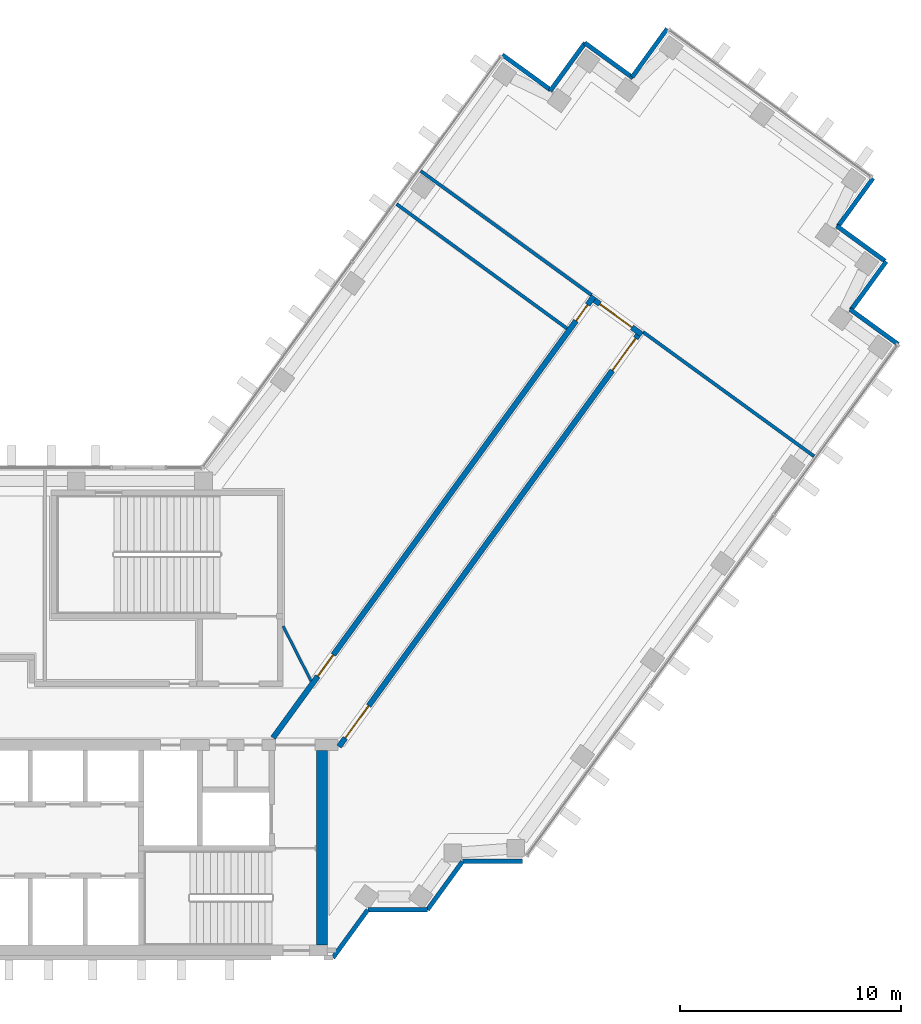
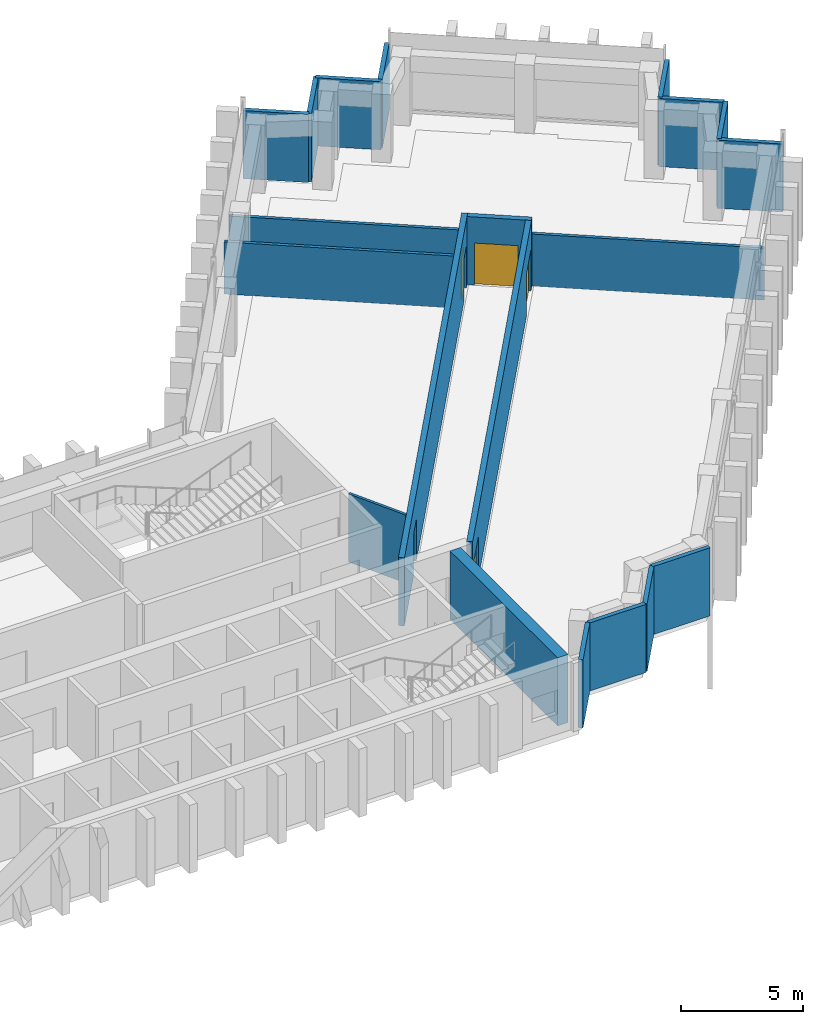
# One storey, part 10 of 13: 20 walls, 5 doors, 5 openings.
"""IFC4 building model written with IfcOpenShell, lengths in metres."""

from ifc_helpers import new_model, si_unit, direction, frame, frame_2d, origin, place, context, subcontext, project, spatial, rectangle, extrude, material, layer, layer_set, type_object, element, fill, save


model = new_model("IFC4")

# Units and contexts
model_context = context("Model", 3, precision=1e-05, world=origin(), true_north=direction((0.0, 1.0)))
body_context = subcontext(model_context, "Body", "Model", "MODEL_VIEW")
ifc_project = project(units=[si_unit("LENGTHUNIT", "METRE"), si_unit("AREAUNIT", "SQUARE_METRE"), si_unit("VOLUMEUNIT", "CUBIC_METRE"), si_unit("PLANEANGLEUNIT", "RADIAN"), si_unit("MASSUNIT", "GRAM", prefix="KILO")], contexts=[model_context])

# Site, building, storey
site_placement = place(None, origin())
site = spatial("IfcSite", under=ifc_project, at=site_placement, CompositionType="ELEMENT")
building_placement = place(site_placement, origin())
building = spatial("IfcBuilding", under=site, at=building_placement, Name="Quipu Civic Tower", CompositionType="ELEMENT")
storey_placement = place(building_placement, frame((0.0, 0.0, 184.0)))
storey = spatial("IfcBuildingStorey", under=building, at=storey_placement, Name="L43", CompositionType="ELEMENT", Elevation=184.0)

# Walls
ifc_material_1 = material(Name="Double gypsum plasterboard with mineral wool")
ifc_layer_1 = layer(ifc_material_1, 0.14990234375)
ifc_layer_set_1 = layer_set([ifc_layer_1], Name="Double gypsum plasterboard with mineral wool")
wall_type_1 = type_object("IfcWallType", Name="Acoustic partition 150 plasterboard", PredefinedType="PARTITIONING", material=ifc_layer_set_1)
for number, where, z_axis, x_axis, name in (
    (1, (31.9521484375, 18.917724609375, 0.0), (0.0, 0.0, 1.0), (-0.80898585166, 0.587828114175, 0.0), "Partition P01"),
    (2, (23.136962890625, 23.031982421875, 0.0), (0.0, 0.0, 1.0), (0.807661302092, -0.589646691759, 0.0), "Partition P02"),
):
    element("IfcWall", number, at=place(storey_placement, frame(where, z_axis=z_axis, x_axis=x_axis)), inside=storey, type_object=wall_type_1, Name=name, PredefinedType="PARTITIONING", context=body_context, shape_type="SweptSolid", body=[
        extrude(rectangle(XDim=9.550048828125, YDim=0.14990234375, at=frame_2d((4.77490234375, 0.0))), origin(), (0.0, 0.0, 1.0), 2.60009765625),
    ])
wall_1_placement = place(storey_placement, frame((34.2939453125, 17.240966796875, 0.0), z_axis=(0.0, 0.0, 1.0), x_axis=(0.808985331811, -0.587828829605, 0.0)))
element("IfcWall", 3, at=wall_1_placement, inside=storey, type_object=wall_type_1, Name="Partition P07", PredefinedType="PARTITIONING", context=body_context, shape_type="SweptSolid", body=[
    extrude(rectangle(XDim=9.56982421875, YDim=0.14990234375, at=frame_2d((4.784912109375, 0.0))), origin(), (0.0, 0.0, 1.0), 2.60009765625),
])
ifc_material_2 = material(Name="Concrete C70/85", Category="concrete")
ifc_layer_2 = layer(ifc_material_2, 0.5)
ifc_layer_set_2 = layer_set([ifc_layer_2], Name="Concrete C70/85")
wall_type_2 = type_object("IfcWallType", Name="Core wall 500", PredefinedType="SHEAR", material=ifc_layer_set_2)
wall_2_placement = place(storey_placement, frame((19.75, -10.5, 0.0), z_axis=(0.0, 0.0, 1.0), x_axis=(0.0, 1.0, 0.0)))
element("IfcWall", 4, at=wall_2_placement, inside=storey, type_object=wall_type_2, Name="Core wall", PredefinedType="SHEAR", context=body_context, shape_type="SweptSolid", body=[
    extrude(rectangle(XDim=8.800048828125, YDim=0.5, at=frame_2d((4.39990234375, 0.0))), origin(), (0.0, 0.0, 1.0), 3.39990234375),
])

# Wall, openings, doors
ifc_material_3 = material(Name="Concrete C50/60", Category="concrete")
ifc_layer_3 = layer(ifc_material_3, 0.25)
ifc_layer_set_3 = layer_set([ifc_layer_3], Name="Concrete C50/60")
wall_type_3 = type_object("IfcWallType", Name="Corridor wall 250 concrete", PredefinedType="SOLIDWALL", material=ifc_layer_set_3)
wall_3_placement = place(storey_placement, frame((17.544921875, -1.124755859375, 0.0), z_axis=(0.0, 0.0, 1.0), x_axis=(0.587791430994, 0.80901250525, 0.0)))
wall_3 = element("IfcWall", 5, at=wall_3_placement, inside=storey, type_object=wall_type_3, Name="Corridor wall C01", PredefinedType="SOLIDWALL", context=body_context, shape_type="SweptSolid", body=[
    extrude(rectangle(XDim=24.703125, YDim=0.25, at=frame_2d((12.3515625, 0.0))), origin(), (0.0, 0.0, 1.0), 3.39990234375),
])
opening_1_placement = place(wall_3_placement, frame((23.328857421875, 0.0, 0.0)))
opening_1 = element("IfcOpeningElement", 6, at=opening_1_placement, cuts=wall_3, Name="Opening D002", PredefinedType="OPENING", context=body_context, shape_type="SweptSolid", body=[
    extrude(rectangle(XDim=0.89990234375, YDim=2.10009765625, at=frame_2d((0.449951171875, 1.050048828125))), frame((0.0, 0.135009765625, 0.0), z_axis=(0.0, -1.0, 0.0), x_axis=(1.0, 0.0, 0.0)), (0.0, 0.0, 1.0), 0.27001953125),
])
opening_2_placement = place(wall_3_placement, frame((3.4423828125, 0.0, 0.0)))
opening_2 = element("IfcOpeningElement", 7, at=opening_2_placement, cuts=wall_3, Name="Opening D001", PredefinedType="OPENING", context=body_context, shape_type="SweptSolid", body=[
    extrude(rectangle(XDim=1.199951171875, YDim=2.10009765625, at=frame_2d((0.60009765625, 1.050048828125))), frame((0.0, 0.135009765625, 0.0), z_axis=(0.0, -1.0, 0.0), x_axis=(1.0, 0.0, 0.0)), (0.0, 0.0, 1.0), 0.27001953125),
])
ifc_material_4 = material(Name="Fire rated timber door set with metal frame", Category="wood")
door_type_1 = type_object("IfcDoorType", Name="Single door 1200 x 2100 FD60", OperationType="NOTDEFINED", PredefinedType="DOOR", material=ifc_material_4)
door_1_placement = place(opening_2_placement, origin())
door_1 = element("IfcDoor", 8, at=door_1_placement, inside=storey, type_object=door_type_1, Name="Door D001", OperationType="SINGLE_SWING_LEFT", OverallHeight=2.10009765625, OverallWidth=1.199951171875, PredefinedType="DOOR", context=body_context, shape_type="SweptSolid", body=[
    extrude(rectangle(XDim=1.199951171875, YDim=2.10009765625, at=frame_2d((0.60009765625, 1.050048828125))), frame((0.0, 0.02490234375, 0.0), z_axis=(0.0, -1.0, 0.0), x_axis=(1.0, 0.0, 0.0)), (0.0, 0.0, 1.0), 0.050048828125),
])
fill(opening_2, door_1)
ifc_material_5 = material(Name="Fire rated timber door set with metal frame", Category="wood")
door_type_2 = type_object("IfcDoorType", Name="Single door 900 x 2100 FD60", OperationType="NOTDEFINED", PredefinedType="DOOR", material=ifc_material_5)
door_2_placement = place(opening_1_placement, origin())
door_2 = element("IfcDoor", 9, at=door_2_placement, inside=storey, type_object=door_type_2, Name="Door D002", OperationType="SINGLE_SWING_RIGHT", OverallHeight=2.10009765625, OverallWidth=0.89990234375, PredefinedType="DOOR", context=body_context, shape_type="SweptSolid", body=[
    extrude(rectangle(XDim=0.89990234375, YDim=2.10009765625, at=frame_2d((0.449951171875, 1.050048828125))), frame((0.0, 0.02490234375, 0.0), z_axis=(0.0, -1.0, 0.0), x_axis=(1.0, 0.0, 0.0)), (0.0, 0.0, 1.0), 0.050048828125),
])
fill(opening_1, door_2)

# Wall, opening, door
wall_4_placement = place(storey_placement, frame((32.0927734375, 18.685791015625, 0.0), z_axis=(0.0, 0.0, 1.0), x_axis=(0.809006914995, -0.587799125119, 0.0)))
wall_4 = element("IfcWall", 10, at=wall_4_placement, inside=storey, type_object=wall_type_3, Name="Corridor wall C02", PredefinedType="SOLIDWALL", context=body_context, shape_type="SweptSolid", body=[
    extrude(rectangle(XDim=2.64990234375, YDim=0.25, at=frame_2d((1.324951171875, 0.0))), origin(), (0.0, 0.0, 1.0), 3.39990234375),
])
opening_3_placement = place(wall_4_placement, frame((0.2998046875, 0.0, 0.0)))
opening_3 = element("IfcOpeningElement", 11, at=opening_3_placement, cuts=wall_4, Name="Opening D005", PredefinedType="OPENING", context=body_context, shape_type="SweptSolid", body=[
    extrude(rectangle(XDim=1.800048828125, YDim=2.10009765625, at=frame_2d((0.89990234375, 1.050048828125))), frame((0.0, 0.135009765625, 0.0), z_axis=(0.0, -1.0, 0.0), x_axis=(1.0, 0.0, 0.0)), (0.0, 0.0, 1.0), 0.27001953125),
])
ifc_material_6 = material(Name="Fire rated timber door set with metal frame", Category="wood")
door_type_3 = type_object("IfcDoorType", Name="Double door 1800 x 2100 FD60", OperationType="DOUBLE_DOOR_SINGLE_SWING", PredefinedType="DOOR", material=ifc_material_6)
door_3_placement = place(opening_3_placement, origin())
door_3 = element("IfcDoor", 12, at=door_3_placement, inside=storey, type_object=door_type_3, Name="Door D005", OperationType="DOUBLE_DOOR_SINGLE_SWING", OverallHeight=2.10009765625, OverallWidth=1.800048828125, PredefinedType="DOOR", context=body_context, shape_type="SweptSolid", body=[
    extrude(rectangle(XDim=1.800048828125, YDim=2.10009765625, at=frame_2d((0.89990234375, 1.050048828125))), frame((0.0, 0.02490234375, 0.0), z_axis=(0.0, -1.0, 0.0), x_axis=(1.0, 0.0, 0.0)), (0.0, 0.0, 1.0), 0.050048828125),
])
fill(opening_3, door_3)

# Wall, openings, doors
wall_5_placement = place(storey_placement, frame((34.06201171875, 17.1005859375, 0.0), z_axis=(0.0, 0.0, 1.0), x_axis=(-0.58778129431, -0.809019870003, 0.0)))
wall_5 = element("IfcWall", 13, at=wall_5_placement, inside=storey, type_object=wall_type_3, Name="Corridor wall C03", PredefinedType="SOLIDWALL", context=body_context, shape_type="SweptSolid", body=[
    extrude(rectangle(XDim=23.0205078125, YDim=0.25, at=frame_2d((11.51025390625, 0.0))), origin(), (0.0, 0.0, 1.0), 3.39990234375),
])
opening_4_placement = place(wall_5_placement, frame((20.7373046875, 0.0, 0.0)))
opening_4 = element("IfcOpeningElement", 14, at=opening_4_placement, cuts=wall_5, Name="Opening D003", PredefinedType="OPENING", context=body_context, shape_type="SweptSolid", body=[
    extrude(rectangle(XDim=1.800048828125, YDim=2.10009765625, at=frame_2d((0.89990234375, 1.050048828125))), frame((0.0, 0.135009765625, 0.0), z_axis=(0.0, -1.0, 0.0), x_axis=(1.0, 0.0, 0.0)), (0.0, 0.0, 1.0), 0.27001953125),
])
opening_5_placement = place(wall_5_placement, frame((0.174072265625, 0.0, 0.0)))
opening_5 = element("IfcOpeningElement", 15, at=opening_5_placement, cuts=wall_5, Name="Opening D004", PredefinedType="OPENING", context=body_context, shape_type="SweptSolid", body=[
    extrude(rectangle(XDim=1.800048828125, YDim=2.10009765625, at=frame_2d((0.89990234375, 1.050048828125))), frame((0.0, 0.135009765625, 0.0), z_axis=(0.0, -1.0, 0.0), x_axis=(1.0, 0.0, 0.0)), (0.0, 0.0, 1.0), 0.27001953125),
])
door_4_placement = place(opening_4_placement, origin())
door_4 = element("IfcDoor", 16, at=door_4_placement, inside=storey, type_object=door_type_3, Name="Door D003", OperationType="DOUBLE_DOOR_SINGLE_SWING", OverallHeight=2.10009765625, OverallWidth=1.800048828125, PredefinedType="DOOR", context=body_context, shape_type="SweptSolid", body=[
    extrude(rectangle(XDim=1.800048828125, YDim=2.10009765625, at=frame_2d((0.89990234375, 1.050048828125))), frame((0.0, 0.02490234375, 0.0), z_axis=(0.0, -1.0, 0.0), x_axis=(1.0, 0.0, 0.0)), (0.0, 0.0, 1.0), 0.050048828125),
])
fill(opening_4, door_4)
door_5_placement = place(opening_5_placement, origin())
door_5 = element("IfcDoor", 17, at=door_5_placement, inside=storey, type_object=door_type_3, Name="Door D004", OperationType="DOUBLE_DOOR_SINGLE_SWING", OverallHeight=2.10009765625, OverallWidth=1.800048828125, PredefinedType="DOOR", context=body_context, shape_type="SweptSolid", body=[
    extrude(rectangle(XDim=1.800048828125, YDim=2.10009765625, at=frame_2d((0.89990234375, 1.050048828125))), frame((0.0, 0.02490234375, 0.0), z_axis=(0.0, -1.0, 0.0), x_axis=(1.0, 0.0, 0.0)), (0.0, 0.0, 1.0), 0.050048828125),
])
fill(opening_5, door_5)

# Walls
ifc_material_7 = material(Name="Gypsum plasterboard on light gauge framing")
ifc_layer_4 = layer(ifc_material_7, 0.1201171875)
ifc_layer_set_4 = layer_set([ifc_layer_4], Name="Gypsum plasterboard on light gauge framing")
wall_type_4 = type_object("IfcWallType", Name="Partition 120 plasterboard", PredefinedType="PARTITIONING", material=ifc_layer_set_4)
wall_6_placement = place(storey_placement, frame((18.0, 3.925048828125, 0.0), z_axis=(0.0, 0.0, 1.0), x_axis=(0.453950796792, -0.891026752736, 0.0)))
element("IfcWall", 18, at=wall_6_placement, inside=storey, type_object=wall_type_4, Name="Partition P09", PredefinedType="PARTITIONING", context=body_context, shape_type="SweptSolid", body=[
    extrude(rectangle(XDim=2.77783203125, YDim=0.1201171875, at=frame_2d((1.388916015625, 0.0))), origin(), (0.0, 0.0, 1.0), 3.39990234375),
])
ifc_material_8 = material(Name="Precast concrete C40/50", Category="concrete")
wall_type_5 = type_object("IfcWallType", Name="Precast cladding wall", PredefinedType="SOLIDWALL", material=ifc_material_8)
wall_7_placement = place(storey_placement, frame((20.253173828125, -11.083251953125, 0.0), z_axis=(0.0, 0.0, 1.0), x_axis=(0.587766567315, 0.809030569476, 0.0)))
element("IfcWall", 19, at=wall_7_placement, inside=storey, type_object=wall_type_5, Name="Precast cladding wall L43 P20", PredefinedType="SOLIDWALL", context=body_context, shape_type="SweptSolid", body=[
    extrude(rectangle(XDim=2.687744140625, YDim=0.199951171875, at=frame_2d((1.34375, 0.0))), origin(), (0.0, 0.0, 1.0), 3.39990234375),
])
wall_8_placement = place(storey_placement, frame((21.8427734375, -8.90380859375, 0.0), z_axis=(0.0, 0.0, 1.0), x_axis=(1.0, 0.0, 0.0)))
element("IfcWall", 20, at=wall_8_placement, inside=storey, type_object=wall_type_5, Name="Precast cladding wall L43 P21", PredefinedType="SOLIDWALL", context=body_context, shape_type="SweptSolid", body=[
    extrude(rectangle(XDim=2.699951171875, YDim=0.199951171875, at=frame_2d((1.35009765625, 0.0))), origin(), (0.0, 0.0, 1.0), 3.39990234375),
])
wall_9_placement = place(storey_placement, frame((24.533203125, -8.90869140625, 0.0), z_axis=(0.0, 0.0, 1.0), x_axis=(0.587720002413, 0.809064397168, 0.0)))
element("IfcWall", 21, at=wall_9_placement, inside=storey, type_object=wall_type_5, Name="Precast cladding wall L43 P22", PredefinedType="SOLIDWALL", context=body_context, shape_type="SweptSolid", body=[
    extrude(rectangle(XDim=2.7001953125, YDim=0.199951171875, at=frame_2d((1.35009765625, 0.0))), origin(), (0.0, 0.0, 1.0), 3.39990234375),
])
for number, where, z_axis, x_axis, name in (
    (22, (26.1298828125, -6.71923828125, 0.0), (0.0, 0.0, 1.0), (1.0, 0.0, 0.0), "Precast cladding wall L43 P23"),
    (23, (45.84228515625, 16.6845703125, 0.0), (0.0, 0.0, 1.0), (-0.808958916286, 0.58786518162, 0.0), "Precast cladding wall L43 P25"),
    (24, (43.70947265625, 18.249267578125, 0.0), (0.0, 0.0, 1.0), (0.587762999008, 0.809033161865, 0.0), "Precast cladding wall L43 P26"),
    (25, (45.2451171875, 20.4560546875, 0.0), (0.0, 0.0, 1.0), (-0.809033161865, 0.587762999008, 0.0), "Precast cladding wall L43 P27"),
    (26, (43.112548828125, 22.020263671875, 0.0), (0.0, 0.0, 1.0), (0.587762999008, 0.809033161865, 0.0), "Precast cladding wall L43 P28"),
    (27, (35.3876953125, 30.97021484375, 0.0), (0.0, 0.0, 1.0), (-0.587762999008, -0.809033161865, 0.0), "Precast cladding wall L43 P30"),
    (28, (33.837890625, 28.743896484375, 0.0), (0.0, 0.0, 1.0), (-0.809033161865, 0.587762999008, 0.0), "Precast cladding wall L43 P31"),
    (29, (31.67041015625, 30.33349609375, 0.0), (0.0, 0.0, 1.0), (-0.587762999008, -0.809033161865, 0.0), "Precast cladding wall L43 P32"),
    (30, (30.105712890625, 28.2001953125, 0.0), (0.0, 0.0, 1.0), (-0.809033161865, 0.587762999008, 0.0), "Precast cladding wall L43 P33"),
):
    element("IfcWall", number, at=place(storey_placement, frame(where, z_axis=z_axis, x_axis=x_axis)), inside=storey, type_object=wall_type_5, Name=name, PredefinedType="SOLIDWALL", context=body_context, shape_type="SweptSolid", body=[
        extrude(rectangle(XDim=2.699951171875, YDim=0.199951171875, at=frame_2d((1.35009765625, 0.0))), origin(), (0.0, 0.0, 1.0), 3.39990234375),
    ])

save(model, "model.ifc")
